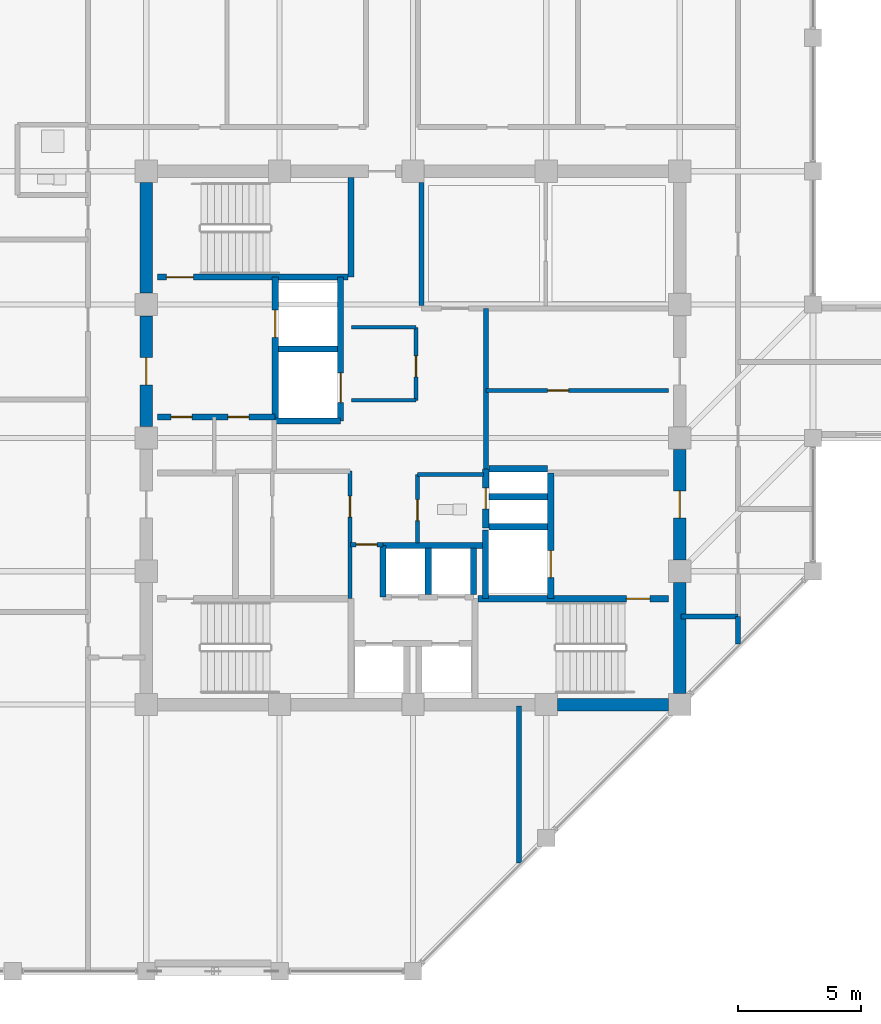
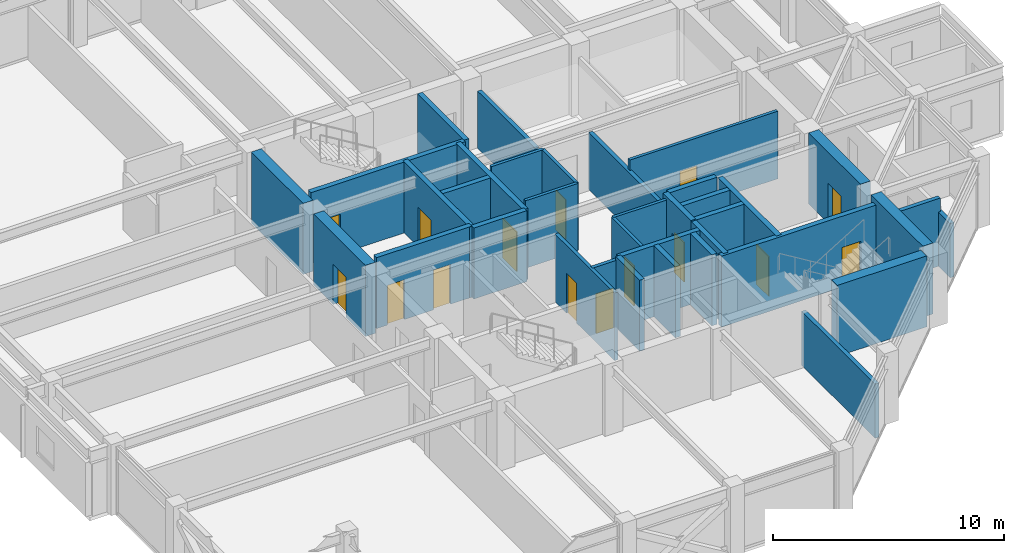
# One storey, part 25 of 30: 36 walls, 15 doors, 15 openings.
"""IFC4 building model written with IfcOpenShell, lengths in metres."""

from ifc_helpers import new_model, si_unit, direction, frame, frame_2d, origin, place, context, subcontext, project, spatial, rectangle, extrude, material, layer, layer_set, type_object, element, fill, save


model = new_model("IFC4")

# Units and contexts
model_context = context("Model", 3, precision=1e-05, world=origin(), true_north=direction((0.0, 1.0)))
body_context = subcontext(model_context, "Body", "Model", "MODEL_VIEW")
ifc_project = project(units=[si_unit("LENGTHUNIT", "METRE"), si_unit("AREAUNIT", "SQUARE_METRE"), si_unit("VOLUMEUNIT", "CUBIC_METRE"), si_unit("PLANEANGLEUNIT", "RADIAN"), si_unit("MASSUNIT", "GRAM", prefix="KILO")], contexts=[model_context])

# Site, building, storey
site_placement = place(None, origin())
site = spatial("IfcSite", under=ifc_project, at=site_placement, CompositionType="ELEMENT")
building_placement = place(site_placement, origin())
building = spatial("IfcBuilding", under=site, at=building_placement, Name="Surkhivell Harbour Commons", CompositionType="ELEMENT")
storey_placement = place(building_placement, frame((0.0, 0.0, 307.5)))
storey = spatial("IfcBuildingStorey", under=building, at=storey_placement, Name="L80", CompositionType="ELEMENT", Elevation=307.5)

# Wall
ifc_material_1 = material(Name="Concrete C50/60", Category="concrete")
ifc_layer_1 = layer(ifc_material_1, 0.5)
ifc_layer_set_1 = layer_set([ifc_layer_1], Name="Concrete C50/60")
wall_type_1 = type_object("IfcWallType", Name="WAL-CORE-500", PredefinedType="SHEAR", material=ifc_layer_set_1)
wall_1_placement = place(storey_placement, frame((10.800048828125, -10.340087890625, 0.0), z_axis=(0.0, 0.0, 1.0), x_axis=(0.0, 1.0, 0.0)))
element("IfcWall", 1, at=wall_1_placement, inside=storey, type_object=wall_type_1, Name="L80 Core Shear Wall East 1", PredefinedType="SHEAR", context=body_context, shape_type="SweptSolid", body=[
    extrude(rectangle(XDim=4.47998046875, YDim=0.5, at=frame_2d((2.239990234375, 0.0))), origin(), (0.0, 0.0, 1.0), 3.75),
])

# Wall, opening, door
wall_2_placement = place(storey_placement, frame((10.800048828125, -4.93994140625, 0.0), z_axis=(0.0, 0.0, 1.0), x_axis=(0.0, 1.0, 0.0)))
wall_2 = element("IfcWall", 2, at=wall_2_placement, inside=storey, type_object=wall_type_1, Name="L80 Core Shear Wall East 2", PredefinedType="SHEAR", context=body_context, shape_type="SweptSolid", body=[
    extrude(rectangle(XDim=4.47998046875, YDim=0.5, at=frame_2d((2.239990234375, 0.0))), origin(), (0.0, 0.0, 1.0), 3.75),
])
opening_1_placement = place(wall_2_placement, frame((1.68994140625, 0.0, 0.0)))
opening_1 = element("IfcOpeningElement", 3, at=opening_1_placement, cuts=wall_2, Name="Opening ID-1", PredefinedType="OPENING", context=body_context, shape_type="SweptSolid", body=[
    extrude(rectangle(XDim=1.10009765625, YDim=2.10009765625, at=frame_2d((0.550048828125, 1.050048828125))), frame((0.0, 0.260009765625, 0.0), z_axis=(0.0, -1.0, 0.0), x_axis=(1.0, 0.0, 0.0)), (0.0, 0.0, 1.0), 0.52001953125),
])
ifc_material_2 = material(Name="Hardwood-veneered fire-rated door leaf", Category="wood")
door_type_1 = type_object("IfcDoorType", Name="DOR-FD120-1100", OperationType="NOTDEFINED", PredefinedType="DOOR", material=ifc_material_2)
door_1_placement = place(opening_1_placement, origin())
door_1 = element("IfcDoor", 4, at=door_1_placement, inside=storey, type_object=door_type_1, Name="L80 Firefighting Lobby 2 Corridor Door", OperationType="SINGLE_SWING_RIGHT", OverallHeight=2.10009765625, OverallWidth=1.10009765625, PredefinedType="DOOR", context=body_context, shape_type="SweptSolid", body=[
    extrude(rectangle(XDim=1.10009765625, YDim=2.10009765625, at=frame_2d((0.550048828125, 1.050048828125))), frame((0.0, 0.02490234375, 0.0), z_axis=(0.0, -1.0, 0.0), x_axis=(1.0, 0.0, 0.0)), (0.0, 0.0, 1.0), 0.050048828125),
])
fill(opening_1, door_1)

wall_3_placement = place(storey_placement, frame((-10.800048828125, 0.4599609375, 0.0), z_axis=(0.0, 0.0, 1.0), x_axis=(0.0, 1.0, 0.0)))
wall_3 = element("IfcWall", 5, at=wall_3_placement, inside=storey, type_object=wall_type_1, Name="L80 Core Shear Wall West 3", PredefinedType="SHEAR", context=body_context, shape_type="SweptSolid", body=[
    extrude(rectangle(XDim=4.47998046875, YDim=0.5, at=frame_2d((2.239990234375, 0.0))), origin(), (0.0, 0.0, 1.0), 3.75),
])
opening_2_placement = place(wall_3_placement, frame((1.68994140625, 0.0, 0.0)))
opening_2 = element("IfcOpeningElement", 6, at=opening_2_placement, cuts=wall_3, Name="Opening ID-1", PredefinedType="OPENING", context=body_context, shape_type="SweptSolid", body=[
    extrude(rectangle(XDim=1.10009765625, YDim=2.10009765625, at=frame_2d((0.550048828125, 1.050048828125))), frame((0.0, 0.260009765625, 0.0), z_axis=(0.0, -1.0, 0.0), x_axis=(1.0, 0.0, 0.0)), (0.0, 0.0, 1.0), 0.52001953125),
])
door_2_placement = place(opening_2_placement, origin())
door_2 = element("IfcDoor", 7, at=door_2_placement, inside=storey, type_object=door_type_1, Name="L80 Firefighting Lobby 1 Corridor Door", OperationType="SINGLE_SWING_LEFT", OverallHeight=2.10009765625, OverallWidth=1.10009765625, PredefinedType="DOOR", context=body_context, shape_type="SweptSolid", body=[
    extrude(rectangle(XDim=1.10009765625, YDim=2.10009765625, at=frame_2d((0.550048828125, 1.050048828125))), frame((0.0, 0.02490234375, 0.0), z_axis=(0.0, -1.0, 0.0), x_axis=(1.0, 0.0, 0.0)), (0.0, 0.0, 1.0), 0.050048828125),
])
fill(opening_2, door_2)

# Walls
for number, where, z_axis, x_axis, name in (
    (8, (5.860107421875, -10.800048828125, 0.0), (0.0, 0.0, 1.0), (1.0, 0.0, 0.0), "L80 Core Shear Wall South 4"),
    (9, (-10.800048828125, 5.860107421875, 0.0), (0.0, 0.0, 1.0), (0.0, 1.0, 0.0), "L80 Core Shear Wall West 4"),
):
    element("IfcWall", number, at=place(storey_placement, frame(where, z_axis=z_axis, x_axis=x_axis)), inside=storey, type_object=wall_type_1, Name=name, PredefinedType="SHEAR", context=body_context, shape_type="SweptSolid", body=[
        extrude(rectangle(XDim=4.47998046875, YDim=0.5, at=frame_2d((2.239990234375, 0.0))), origin(), (0.0, 0.0, 1.0), 3.75),
    ])
ifc_material_3 = material(Name="Twin-stud acoustic fireboard partition", Category="other")
ifc_layer_2 = layer(ifc_material_3, 0.14990234375)
ifc_layer_set_2 = layer_set([ifc_layer_2], Name="Twin-stud acoustic fireboard partition")
wall_type_2 = type_object("IfcWallType", Name="WAL-INT-150", PredefinedType="PARTITIONING", material=ifc_layer_set_2)
wall_4_placement = place(storey_placement, frame((0.179931640625, -1.47998046875, 0.0), z_axis=(0.0, 0.0, 1.0), x_axis=(1.0, 0.0, 0.0)))
element("IfcWall", 10, at=wall_4_placement, inside=storey, type_object=wall_type_2, Name="L80 Core Accessible WC North Wall", PredefinedType="PARTITIONING", context=body_context, shape_type="SweptSolid", body=[
    extrude(rectangle(XDim=2.670166015625, YDim=0.14990234375, at=frame_2d((1.3349609375, 0.0))), origin(), (0.0, 0.0, 1.0), 3.570068359375),
])

# Wall, opening, door
wall_5_placement = place(storey_placement, frame((0.179931640625, -4.25, 0.0), z_axis=(0.0, 0.0, 1.0), x_axis=(0.0, 1.0, 0.0)))
wall_5 = element("IfcWall", 11, at=wall_5_placement, inside=storey, type_object=wall_type_2, Name="L80 Core Accessible WC West Wall", PredefinedType="PARTITIONING", context=body_context, shape_type="SweptSolid", body=[
    extrude(rectangle(XDim=2.77001953125, YDim=0.14990234375, at=frame_2d((1.385009765625, 0.0))), origin(), (0.0, 0.0, 1.0), 3.570068359375),
])
opening_3_placement = place(wall_5_placement, frame((0.89990234375, 0.0, 0.0)))
opening_3 = element("IfcOpeningElement", 12, at=opening_3_placement, cuts=wall_5, Name="Opening ID-6", PredefinedType="OPENING", context=body_context, shape_type="SweptSolid", body=[
    extrude(rectangle(XDim=0.85009765625, YDim=2.10009765625, at=frame_2d((0.425048828125, 1.050048828125))), frame((0.0, 0.0849609375, 0.0), z_axis=(0.0, -1.0, 0.0), x_axis=(1.0, 0.0, 0.0)), (0.0, 0.0, 1.0), 0.169921875),
])
door_type_2 = type_object("IfcDoorType", Name="DOR-FD30-850", OperationType="NOTDEFINED", PredefinedType="DOOR", material=ifc_material_2)
door_3_placement = place(opening_3_placement, origin())
door_3 = element("IfcDoor", 13, at=door_3_placement, inside=storey, type_object=door_type_2, Name="L80 Floor Accessible WC Door", OperationType="SINGLE_SWING_LEFT", OverallHeight=2.10009765625, OverallWidth=0.85009765625, PredefinedType="DOOR", context=body_context, shape_type="SweptSolid", body=[
    extrude(rectangle(XDim=0.85009765625, YDim=2.10009765625, at=frame_2d((0.425048828125, 1.050048828125))), frame((0.0, 0.02490234375, 0.0), z_axis=(0.0, -1.0, 0.0), x_axis=(1.0, 0.0, 0.0)), (0.0, 0.0, 1.0), 0.050048828125),
])
fill(opening_3, door_3)

wall_6_placement = place(storey_placement, frame((2.949951171875, 1.919921875, 0.0), z_axis=(0.0, 0.0, 1.0), x_axis=(1.0, 0.0, 0.0)))
wall_6 = element("IfcWall", 14, at=wall_6_placement, inside=storey, type_object=wall_type_2, Name="L80 Media Divider", PredefinedType="PARTITIONING", context=body_context, shape_type="SweptSolid", body=[
    extrude(rectangle(XDim=7.39013671875, YDim=0.14990234375, at=frame_2d((3.695068359375, 0.0))), origin(), (0.0, 0.0, 1.0), 3.570068359375),
])
opening_4_placement = place(wall_6_placement, frame((2.5, 0.0, 0.0)))
opening_4 = element("IfcOpeningElement", 15, at=opening_4_placement, cuts=wall_6, Name="Opening ID-6", PredefinedType="OPENING", context=body_context, shape_type="SweptSolid", body=[
    extrude(rectangle(XDim=0.85009765625, YDim=2.10009765625, at=frame_2d((0.425048828125, 1.050048828125))), frame((0.0, 0.0849609375, 0.0), z_axis=(0.0, -1.0, 0.0), x_axis=(1.0, 0.0, 0.0)), (0.0, 0.0, 1.0), 0.169921875),
])
door_4_placement = place(opening_4_placement, origin())
door_4 = element("IfcDoor", 16, at=door_4_placement, inside=storey, type_object=door_type_2, Name="L80 Seminar Alcove Door", OperationType="SINGLE_SWING_RIGHT", OverallHeight=2.10009765625, OverallWidth=0.85009765625, PredefinedType="DOOR", context=body_context, shape_type="SweptSolid", body=[
    extrude(rectangle(XDim=0.85009765625, YDim=2.10009765625, at=frame_2d((0.425048828125, 1.050048828125))), frame((0.0, 0.02490234375, 0.0), z_axis=(0.0, -1.0, 0.0), x_axis=(1.0, 0.0, 0.0)), (0.0, 0.0, 1.0), 0.050048828125),
])
fill(opening_4, door_4)

wall_7_placement = place(storey_placement, frame((0.1201171875, 1.52001953125, 0.0), z_axis=(0.0, 0.0, 1.0), x_axis=(0.0, 1.0, 0.0)))
wall_7 = element("IfcWall", 17, at=wall_7_placement, inside=storey, type_object=wall_type_2, Name="L80 Central Reading East Wall", PredefinedType="PARTITIONING", context=body_context, shape_type="SweptSolid", body=[
    extrude(rectangle(XDim=2.9599609375, YDim=0.14990234375, at=frame_2d((1.47998046875, 0.0))), origin(), (0.0, 0.0, 1.0), 3.570068359375),
])
opening_5_placement = place(wall_7_placement, frame((0.949951171875, 0.0, 0.0)))
opening_5 = element("IfcOpeningElement", 18, at=opening_5_placement, cuts=wall_7, Name="Opening ID-6", PredefinedType="OPENING", context=body_context, shape_type="SweptSolid", body=[
    extrude(rectangle(XDim=0.85009765625, YDim=2.10009765625, at=frame_2d((0.425048828125, 1.050048828125))), frame((0.0, 0.0849609375, 0.0), z_axis=(0.0, -1.0, 0.0), x_axis=(1.0, 0.0, 0.0)), (0.0, 0.0, 1.0), 0.169921875),
])
door_5_placement = place(opening_5_placement, origin())
door_5 = element("IfcDoor", 19, at=door_5_placement, inside=storey, type_object=door_type_2, Name="L80 Central Core Reading Door", OperationType="SINGLE_SWING_RIGHT", OverallHeight=2.10009765625, OverallWidth=0.85009765625, PredefinedType="DOOR", context=body_context, shape_type="SweptSolid", body=[
    extrude(rectangle(XDim=0.85009765625, YDim=2.10009765625, at=frame_2d((0.425048828125, 1.050048828125))), frame((0.0, 0.02490234375, 0.0), z_axis=(0.0, -1.0, 0.0), x_axis=(1.0, 0.0, 0.0)), (0.0, 0.0, 1.0), 0.050048828125),
])
fill(opening_5, door_5)

# Walls
for number, where, z_axis, x_axis, name in (
    (20, (-2.47998046875, 4.47998046875, 0.0), (0.0, 0.0, 1.0), (1.0, 0.0, 0.0), "L80 Central Reading North Wall"),
    (21, (-2.47998046875, 1.52001953125, 0.0), (0.0, 0.0, 1.0), (1.0, 0.0, 0.0), "L80 Central Reading South Wall"),
):
    element("IfcWall", number, at=place(storey_placement, frame(where, z_axis=z_axis, x_axis=x_axis)), inside=storey, type_object=wall_type_2, Name=name, PredefinedType="PARTITIONING", context=body_context, shape_type="SweptSolid", body=[
        extrude(rectangle(XDim=2.60009765625, YDim=0.14990234375, at=frame_2d((1.300048828125, 0.0))), origin(), (0.0, 0.0, 1.0), 3.570068359375),
    ])

# Wall, opening, door
ifc_material_4 = material(Name="High-density acoustic blockwork fire partition", Category="masonry")
ifc_layer_3 = layer(ifc_material_4, 0.175048828125)
ifc_layer_set_3 = layer_set([ifc_layer_3], Name="High-density acoustic blockwork fire partition")
wall_type_3 = type_object("IfcWallType", Name="WAL-INT-175", PredefinedType="PARTITIONING", material=ifc_layer_set_3)
wall_8_placement = place(storey_placement, frame((-2.550048828125, -6.510009765625, 0.0), z_axis=(0.0, 0.0, 1.0), x_axis=(0.0, 1.0, 0.0)))
wall_8 = element("IfcWall", 22, at=wall_8_placement, inside=storey, type_object=wall_type_3, Name="L80 Core Service Bay East Wall", PredefinedType="PARTITIONING", context=body_context, shape_type="SweptSolid", body=[
    extrude(rectangle(XDim=5.159912109375, YDim=0.175048828125, at=frame_2d((2.580078125, 0.0))), origin(), (0.0, 0.0, 1.0), 3.570068359375),
])
opening_6_placement = place(wall_8_placement, frame((3.300048828125, 0.0, 0.0)))
opening_6 = element("IfcOpeningElement", 23, at=opening_6_placement, cuts=wall_8, Name="Opening ID-6", PredefinedType="OPENING", context=body_context, shape_type="SweptSolid", body=[
    extrude(rectangle(XDim=0.85009765625, YDim=2.10009765625, at=frame_2d((0.425048828125, 1.050048828125))), frame((0.0, 0.097412109375, 0.0), z_axis=(0.0, -1.0, 0.0), x_axis=(1.0, 0.0, 0.0)), (0.0, 0.0, 1.0), 0.195068359375),
])
door_6_placement = place(opening_6_placement, origin())
door_6 = element("IfcDoor", 24, at=door_6_placement, inside=storey, type_object=door_type_2, Name="L80 Core Music Door", OperationType="SINGLE_SWING_LEFT", OverallHeight=2.10009765625, OverallWidth=0.85009765625, PredefinedType="DOOR", context=body_context, shape_type="SweptSolid", body=[
    extrude(rectangle(XDim=0.85009765625, YDim=2.10009765625, at=frame_2d((0.425048828125, 1.050048828125))), frame((0.0, 0.02490234375, 0.0), z_axis=(0.0, -1.0, 0.0), x_axis=(1.0, 0.0, 0.0)), (0.0, 0.0, 1.0), 0.050048828125),
])
fill(opening_6, door_6)

wall_9_placement = place(storey_placement, frame((-2.52001953125, -4.320068359375, 0.0), z_axis=(0.0, 0.0, 1.0), x_axis=(1.0, 0.0, 0.0)))
wall_9 = element("IfcWall", 25, at=wall_9_placement, inside=storey, type_object=wall_type_3, Name="L80 High-Rise Lobby North Portal Wall", PredefinedType="PARTITIONING", context=body_context, shape_type="SweptSolid", body=[
    extrude(rectangle(XDim=1.300048828125, YDim=0.175048828125, at=frame_2d((0.64990234375, 0.0))), origin(), (0.0, 0.0, 1.0), 3.570068359375),
])
opening_7_placement = place(wall_9_placement, frame((0.219970703125, 0.0, 0.0)))
opening_7 = element("IfcOpeningElement", 26, at=opening_7_placement, cuts=wall_9, Name="Opening ID-6", PredefinedType="OPENING", context=body_context, shape_type="SweptSolid", body=[
    extrude(rectangle(XDim=0.85009765625, YDim=2.10009765625, at=frame_2d((0.425048828125, 1.050048828125))), frame((0.0, 0.097412109375, 0.0), z_axis=(0.0, -1.0, 0.0), x_axis=(1.0, 0.0, 0.0)), (0.0, 0.0, 1.0), 0.195068359375),
])
door_7_placement = place(opening_7_placement, origin())
door_7 = element("IfcDoor", 27, at=door_7_placement, inside=storey, type_object=door_type_2, Name="L80 High-Rise Lift Lobby North Door", OperationType="SINGLE_SWING_LEFT", OverallHeight=2.10009765625, OverallWidth=0.85009765625, PredefinedType="DOOR", context=body_context, shape_type="SweptSolid", body=[
    extrude(rectangle(XDim=0.85009765625, YDim=2.10009765625, at=frame_2d((0.425048828125, 1.050048828125))), frame((0.0, 0.02490234375, 0.0), z_axis=(0.0, -1.0, 0.0), x_axis=(1.0, 0.0, 0.0)), (0.0, 0.0, 1.0), 0.050048828125),
])
fill(opening_7, door_7)

# Walls
ifc_material_5 = material(Name="Autoclaved aerated concrete blockwork and fire plaster", Category="masonry")
ifc_layer_4 = layer(ifc_material_5, 0.199951171875)
ifc_layer_set_4 = layer_set([ifc_layer_4], Name="Autoclaved aerated concrete blockwork and fire plaster")
wall_type_4 = type_object("IfcWallType", Name="WAL-INT-200", PredefinedType="PARTITIONING", material=ifc_layer_set_4)
wall_10_placement = place(storey_placement, frame((0.35009765625, 5.360107421875, 0.0), z_axis=(0.0, 0.0, 1.0), x_axis=(0.0, 1.0, 0.0)))
element("IfcWall", 28, at=wall_10_placement, inside=storey, type_object=wall_type_4, Name="L80 Reclaimed Core North Bay West Wall", PredefinedType="PARTITIONING", context=body_context, shape_type="SweptSolid", body=[
    extrude(rectangle(XDim=4.97998046875, YDim=0.199951171875, at=frame_2d((2.489990234375, 0.0))), origin(), (0.0, 0.0, 1.0), 3.012939453125),
])
wall_11_placement = place(storey_placement, frame((13.159912109375, -8.355224609375, 0.0), z_axis=(0.0, 0.0, 1.0), x_axis=(0.0, 1.0, 0.0)))
element("IfcWall", 29, at=wall_11_placement, inside=storey, type_object=wall_type_4, Name="L80 East Wing South Closure Wall", PredefinedType="PARTITIONING", context=body_context, shape_type="SweptSolid", body=[
    extrude(rectangle(XDim=1.115234375, YDim=0.199951171875, at=frame_2d((0.5576171875, 0.0))), origin(), (0.0, 0.0, 1.0), 2.85693359375),
])
wall_12_placement = place(storey_placement, frame((10.85009765625, -7.239990234375, 0.0), z_axis=(0.0, 0.0, 1.0), x_axis=(1.0, 0.0, 0.0)))
element("IfcWall", 30, at=wall_12_placement, inside=storey, type_object=wall_type_4, Name="L80 East Corridor South Closure Wall", PredefinedType="PARTITIONING", context=body_context, shape_type="SweptSolid", body=[
    extrude(rectangle(XDim=2.309814453125, YDim=0.199951171875, at=frame_2d((1.15478515625, 0.0))), origin(), (0.0, 0.0, 1.0), 3.570068359375),
])
wall_13_placement = place(storey_placement, frame((4.300048828125, -17.215087890625, 0.0), z_axis=(0.0, 0.0, 1.0), x_axis=(0.0, 1.0, 0.0)))
element("IfcWall", 31, at=wall_13_placement, inside=storey, type_object=wall_type_4, Name="L80 South Hall East Wall", PredefinedType="PARTITIONING", context=body_context, shape_type="SweptSolid", body=[
    extrude(rectangle(XDim=6.364990234375, YDim=0.199951171875, at=frame_2d((3.1826171875, 0.0))), origin(), (0.0, 0.0, 1.0), 2.85693359375),
])
wall_14_placement = place(storey_placement, frame((2.949951171875, -1.25, 0.0), z_axis=(0.0, 0.0, 1.0), x_axis=(0.0, 1.0, 0.0)))
element("IfcWall", 32, at=wall_14_placement, inside=storey, type_object=wall_type_4, Name="L80 Reclaimed East Core West Wall", PredefinedType="PARTITIONING", context=body_context, shape_type="SweptSolid", body=[
    extrude(rectangle(XDim=6.489990234375, YDim=0.199951171875, at=frame_2d((3.2451171875, 0.0))), origin(), (0.0, 0.0, 1.0), 3.012939453125),
])

# Wall, opening, door
ifc_layer_5 = layer(ifc_material_1, 0.25)
ifc_layer_set_5 = layer_set([ifc_layer_5], Name="Concrete C50/60")
wall_type_5 = type_object("IfcWallType", Name="WAL-SHAFT-250", PredefinedType="SHEAR", material=ifc_layer_set_5)
wall_15_placement = place(storey_placement, frame((-5.580078125, 0.719970703125, 0.0), z_axis=(0.0, 0.0, 1.0), x_axis=(0.0, 1.0, 0.0)))
wall_15 = element("IfcWall", 33, at=wall_15_placement, inside=storey, type_object=wall_type_5, Name="L80 Firefighting Lobby 1 East Shaft Wall", PredefinedType="SHEAR", context=body_context, shape_type="SweptSolid", body=[
    extrude(rectangle(XDim=5.7900390625, YDim=0.25, at=frame_2d((2.89501953125, 0.0))), origin(), (0.0, 0.0, 1.0), 3.75),
])
opening_8_placement = place(wall_15_placement, frame((3.35009765625, 0.0, 0.0)))
opening_8 = element("IfcOpeningElement", 34, at=opening_8_placement, cuts=wall_15, Name="Opening LD-1", PredefinedType="OPENING", context=body_context, shape_type="SweptSolid", body=[
    extrude(rectangle(XDim=1.10009765625, YDim=2.10009765625, at=frame_2d((0.550048828125, 1.050048828125))), frame((0.0, 0.135009765625, 0.0), z_axis=(0.0, -1.0, 0.0), x_axis=(1.0, 0.0, 0.0)), (0.0, 0.0, 1.0), 0.27001953125),
])
ifc_material_6 = material(Name="Brushed stainless steel S355", Category="steel")
door_type_3 = type_object("IfcDoorType", Name="DOR-LD-1100", OperationType="SLIDING_TO_LEFT", PredefinedType="DOOR", material=ifc_material_6)
door_8_placement = place(opening_8_placement, origin())
door_8 = element("IfcDoor", 35, at=door_8_placement, inside=storey, type_object=door_type_3, Name="L80 Lift Landing Door LD-FFL1", OperationType="SLIDING_TO_LEFT", OverallHeight=2.10009765625, OverallWidth=1.10009765625, PredefinedType="DOOR", context=body_context, shape_type="SweptSolid", body=[
    extrude(rectangle(XDim=1.10009765625, YDim=2.10009765625, at=frame_2d((0.550048828125, 1.050048828125))), frame((0.0, 0.02490234375, 0.0), z_axis=(0.0, -1.0, 0.0), x_axis=(1.0, 0.0, 0.0)), (0.0, 0.0, 1.0), 0.050048828125),
])
fill(opening_8, door_8)

# Wall, openings, doors
wall_16_placement = place(storey_placement, frame((-10.340087890625, 0.85009765625, 0.0), z_axis=(0.0, 0.0, 1.0), x_axis=(1.0, 0.0, 0.0)))
wall_16 = element("IfcWall", 36, at=wall_16_placement, inside=storey, type_object=wall_type_5, Name="L80 Firefighting Lobby 1 South Wall", PredefinedType="SHEAR", context=body_context, shape_type="SweptSolid", body=[
    extrude(rectangle(XDim=4.760009765625, YDim=0.25, at=frame_2d((2.3798828125, 0.0))), origin(), (0.0, 0.0, 1.0), 3.75),
])
opening_9_placement = place(wall_16_placement, frame((0.550048828125, 0.0, 0.0)))
opening_9 = element("IfcOpeningElement", 37, at=opening_9_placement, cuts=wall_16, Name="Opening ID-6", PredefinedType="OPENING", context=body_context, shape_type="SweptSolid", body=[
    extrude(rectangle(XDim=0.85009765625, YDim=2.10009765625, at=frame_2d((0.425048828125, 1.050048828125))), frame((0.0, 0.135009765625, 0.0), z_axis=(0.0, -1.0, 0.0), x_axis=(1.0, 0.0, 0.0)), (0.0, 0.0, 1.0), 0.27001953125),
])
opening_10_placement = place(wall_16_placement, frame((2.85009765625, 0.0, 0.0)))
opening_10 = element("IfcOpeningElement", 38, at=opening_10_placement, cuts=wall_16, Name="Opening ID-6", PredefinedType="OPENING", context=body_context, shape_type="SweptSolid", body=[
    extrude(rectangle(XDim=0.85009765625, YDim=2.10009765625, at=frame_2d((0.425048828125, 1.050048828125))), frame((0.0, 0.135009765625, 0.0), z_axis=(0.0, -1.0, 0.0), x_axis=(1.0, 0.0, 0.0)), (0.0, 0.0, 1.0), 0.27001953125),
])
door_9_placement = place(opening_9_placement, origin())
door_9 = element("IfcDoor", 39, at=door_9_placement, inside=storey, type_object=door_type_2, Name="L80 West Seminar 1 Door", OperationType="SINGLE_SWING_LEFT", OverallHeight=2.10009765625, OverallWidth=0.85009765625, PredefinedType="DOOR", context=body_context, shape_type="SweptSolid", body=[
    extrude(rectangle(XDim=0.85009765625, YDim=2.10009765625, at=frame_2d((0.425048828125, 1.050048828125))), frame((0.0, 0.02490234375, 0.0), z_axis=(0.0, -1.0, 0.0), x_axis=(1.0, 0.0, 0.0)), (0.0, 0.0, 1.0), 0.050048828125),
])
fill(opening_9, door_9)
door_10_placement = place(opening_10_placement, origin())
door_10 = element("IfcDoor", 40, at=door_10_placement, inside=storey, type_object=door_type_2, Name="L80 West Seminar 2 Door", OperationType="SINGLE_SWING_RIGHT", OverallHeight=2.10009765625, OverallWidth=0.85009765625, PredefinedType="DOOR", context=body_context, shape_type="SweptSolid", body=[
    extrude(rectangle(XDim=0.85009765625, YDim=2.10009765625, at=frame_2d((0.425048828125, 1.050048828125))), frame((0.0, 0.02490234375, 0.0), z_axis=(0.0, -1.0, 0.0), x_axis=(1.0, 0.0, 0.0)), (0.0, 0.0, 1.0), 0.050048828125),
])
fill(opening_10, door_10)

# Walls
wall_17_placement = place(storey_placement, frame((2.929931640625, -6.510009765625, 0.0), z_axis=(0.0, 0.0, 1.0), x_axis=(0.0, 1.0, 0.0)))
element("IfcWall", 41, at=wall_17_placement, inside=storey, type_object=wall_type_5, Name="L80 FFL2 West Shaft Wall", PredefinedType="SHEAR", context=body_context, shape_type="SweptSolid", body=[
    extrude(rectangle(XDim=2.7900390625, YDim=0.25, at=frame_2d((1.39501953125, 0.0))), origin(), (0.0, 0.0, 1.0), 3.75),
])
wall_18_placement = place(storey_placement, frame((3.080078125, -3.60009765625, 0.0), z_axis=(0.0, 0.0, 1.0), x_axis=(1.0, 0.0, 0.0)))
element("IfcWall", 42, at=wall_18_placement, inside=storey, type_object=wall_type_5, Name="L80 FFL2 North Shaft Wall", PredefinedType="SHEAR", context=body_context, shape_type="SweptSolid", body=[
    extrude(rectangle(XDim=2.369873046875, YDim=0.25, at=frame_2d((1.18505859375, 0.0))), origin(), (0.0, 0.0, 1.0), 3.75),
])

# Wall, opening, door
wall_19_placement = place(storey_placement, frame((5.580078125, -6.510009765625, 0.0), z_axis=(0.0, 0.0, 1.0), x_axis=(0.0, 1.0, 0.0)))
wall_19 = element("IfcWall", 43, at=wall_19_placement, inside=storey, type_object=wall_type_5, Name="L80 Firefighting Lobby 2 West Shaft Wall", PredefinedType="SHEAR", context=body_context, shape_type="SweptSolid", body=[
    extrude(rectangle(XDim=5.090087890625, YDim=0.25, at=frame_2d((2.544921875, 0.0))), origin(), (0.0, 0.0, 1.0), 3.75),
])
opening_11_placement = place(wall_19_placement, frame((0.85009765625, 0.0, 0.0)))
opening_11 = element("IfcOpeningElement", 44, at=opening_11_placement, cuts=wall_19, Name="Opening LD-1", PredefinedType="OPENING", context=body_context, shape_type="SweptSolid", body=[
    extrude(rectangle(XDim=1.10009765625, YDim=2.10009765625, at=frame_2d((0.550048828125, 1.050048828125))), frame((0.0, 0.135009765625, 0.0), z_axis=(0.0, -1.0, 0.0), x_axis=(1.0, 0.0, 0.0)), (0.0, 0.0, 1.0), 0.27001953125),
])
door_11_placement = place(opening_11_placement, origin())
door_11 = element("IfcDoor", 45, at=door_11_placement, inside=storey, type_object=door_type_3, Name="L80 Lift Landing Door LD-FFL2", OperationType="SLIDING_TO_RIGHT", OverallHeight=2.10009765625, OverallWidth=1.10009765625, PredefinedType="DOOR", context=body_context, shape_type="SweptSolid", body=[
    extrude(rectangle(XDim=1.10009765625, YDim=2.10009765625, at=frame_2d((0.550048828125, 1.050048828125))), frame((0.0, 0.02490234375, 0.0), z_axis=(0.0, -1.0, 0.0), x_axis=(1.0, 0.0, 0.0)), (0.0, 0.0, 1.0), 0.050048828125),
])
fill(opening_11, door_11)

# Walls
for number, where, z_axis, x_axis, name in (
    (46, (0.6201171875, -6.340087890625, 0.0), (0.0, 0.0, 1.0), (0.0, 1.0, 0.0), "L80 High-Rise Side Wall N"),
    (47, (2.449951171875, -6.340087890625, 0.0), (0.0, 0.0, 1.0), (0.0, 1.0, 0.0), "L80 High-Rise Side Wall N"),
):
    element("IfcWall", number, at=place(storey_placement, frame(where, z_axis=z_axis, x_axis=x_axis)), inside=storey, type_object=wall_type_5, Name=name, PredefinedType="SHEAR", context=body_context, shape_type="SweptSolid", body=[
        extrude(rectangle(XDim=1.880126953125, YDim=0.25, at=frame_2d((0.93994140625, 0.0))), origin(), (0.0, 0.0, 1.0), 3.75),
    ])
wall_20_placement = place(storey_placement, frame((-1.219970703125, -6.43994140625, 0.0), z_axis=(0.0, 0.0, 1.0), x_axis=(0.0, 1.0, 0.0)))
element("IfcWall", 48, at=wall_20_placement, inside=storey, type_object=wall_type_5, Name="L80 High-Rise Passage East Shaft Wall", PredefinedType="SHEAR", context=body_context, shape_type="SweptSolid", body=[
    extrude(rectangle(XDim=2.079833984375, YDim=0.25, at=frame_2d((1.0400390625, 0.0))), origin(), (0.0, 0.0, 1.0), 3.75),
])
wall_21_placement = place(storey_placement, frame((-1.219970703125, -4.360107421875, 0.0), z_axis=(0.0, 0.0, 1.0), x_axis=(1.0, 0.0, 0.0)))
element("IfcWall", 49, at=wall_21_placement, inside=storey, type_object=wall_type_5, Name="L80 High-Rise North Back Shaft Wall", PredefinedType="SHEAR", context=body_context, shape_type="SweptSolid", body=[
    extrude(rectangle(XDim=4.030029296875, YDim=0.25, at=frame_2d((2.01513671875, 0.0))), origin(), (0.0, 0.0, 1.0), 3.75),
])
for number, where, z_axis, x_axis, name in (
    (50, (3.080078125, -2.3798828125, 0.0), (0.0, 0.0, 1.0), (1.0, 0.0, 0.0), "L80 Riser Divider Wall"),
    (51, (3.080078125, -1.25, 0.0), (0.0, 0.0, 1.0), (1.0, 0.0, 0.0), "L80 Riser North Wall"),
):
    element("IfcWall", number, at=place(storey_placement, frame(where, z_axis=z_axis, x_axis=x_axis)), inside=storey, type_object=wall_type_5, Name=name, PredefinedType="SHEAR", context=body_context, shape_type="SweptSolid", body=[
        extrude(rectangle(XDim=2.369873046875, YDim=0.25, at=frame_2d((1.18505859375, 0.0))), origin(), (0.0, 0.0, 1.0), 3.75),
    ])

# Wall, opening, door
wall_22_placement = place(storey_placement, frame((2.949951171875, -3.64990234375, 0.0), z_axis=(0.0, 0.0, 1.0), x_axis=(0.0, 1.0, 0.0)))
wall_22 = element("IfcWall", 52, at=wall_22_placement, inside=storey, type_object=wall_type_5, Name="L80 Riser Shaft West Wall", PredefinedType="SHEAR", context=body_context, shape_type="SweptSolid", body=[
    extrude(rectangle(XDim=2.39990234375, YDim=0.25, at=frame_2d((1.199951171875, 0.0))), origin(), (0.0, 0.0, 1.0), 3.75),
])
opening_12_placement = place(wall_22_placement, frame((0.77490234375, 0.0, 0.0)))
opening_12 = element("IfcOpeningElement", 53, at=opening_12_placement, cuts=wall_22, Name="Opening ID-6", PredefinedType="OPENING", context=body_context, shape_type="SweptSolid", body=[
    extrude(rectangle(XDim=0.85009765625, YDim=2.10009765625, at=frame_2d((0.425048828125, 1.050048828125))), frame((0.0, 0.135009765625, 0.0), z_axis=(0.0, -1.0, 0.0), x_axis=(1.0, 0.0, 0.0)), (0.0, 0.0, 1.0), 0.27001953125),
])
door_12_placement = place(opening_12_placement, origin())
door_12 = element("IfcDoor", 54, at=door_12_placement, inside=storey, type_object=door_type_2, Name="L80 Electrical Riser Access Door", OperationType="SINGLE_SWING_LEFT", OverallHeight=2.10009765625, OverallWidth=0.85009765625, PredefinedType="DOOR", context=body_context, shape_type="SweptSolid", body=[
    extrude(rectangle(XDim=0.85009765625, YDim=2.10009765625, at=frame_2d((0.425048828125, 1.050048828125))), frame((0.0, 0.02490234375, 0.0), z_axis=(0.0, -1.0, 0.0), x_axis=(1.0, 0.0, 0.0)), (0.0, 0.0, 1.0), 0.050048828125),
])
fill(opening_12, door_12)

# Wall
wall_23_placement = place(storey_placement, frame((-2.510009765625, 6.510009765625, 0.0), z_axis=(0.0, 0.0, 1.0), x_axis=(0.0, 1.0, 0.0)))
element("IfcWall", 55, at=wall_23_placement, inside=storey, type_object=wall_type_5, Name="L80 Stair ST1 East Shear Wall", PredefinedType="SHEAR", context=body_context, shape_type="SweptSolid", body=[
    extrude(rectangle(XDim=4.0400390625, YDim=0.25, at=frame_2d((2.02001953125, 0.0))), origin(), (0.0, 0.0, 1.0), 3.75),
])

# Wall, opening, door
wall_24_placement = place(storey_placement, frame((-10.340087890625, 6.510009765625, 0.0), z_axis=(0.0, 0.0, 1.0), x_axis=(1.0, 0.0, 0.0)))
wall_24 = element("IfcWall", 56, at=wall_24_placement, inside=storey, type_object=wall_type_5, Name="L80 Stair ST1 South Shear Wall", PredefinedType="SHEAR", context=body_context, shape_type="SweptSolid", body=[
    extrude(rectangle(XDim=7.7001953125, YDim=0.25, at=frame_2d((3.85009765625, 0.0))), origin(), (0.0, 0.0, 1.0), 3.75),
])
opening_13_placement = place(wall_24_placement, frame((0.35009765625, 0.0, 0.0)))
opening_13 = element("IfcOpeningElement", 57, at=opening_13_placement, cuts=wall_24, Name="Opening ID-2", PredefinedType="OPENING", context=body_context, shape_type="SweptSolid", body=[
    extrude(rectangle(XDim=1.10009765625, YDim=2.10009765625, at=frame_2d((0.550048828125, 1.050048828125))), frame((0.0, 0.135009765625, 0.0), z_axis=(0.0, -1.0, 0.0), x_axis=(1.0, 0.0, 0.0)), (0.0, 0.0, 1.0), 0.27001953125),
])
door_type_4 = type_object("IfcDoorType", Name="DOR-FD60-1100", OperationType="NOTDEFINED", PredefinedType="DOOR", material=ifc_material_2)
door_13_placement = place(opening_13_placement, origin())
door_13 = element("IfcDoor", 58, at=door_13_placement, inside=storey, type_object=door_type_4, Name="L80 Stair ST1 Exit Door", OperationType="SINGLE_SWING_LEFT", OverallHeight=2.10009765625, OverallWidth=1.10009765625, PredefinedType="DOOR", context=body_context, shape_type="SweptSolid", body=[
    extrude(rectangle(XDim=1.10009765625, YDim=2.10009765625, at=frame_2d((0.550048828125, 1.050048828125))), frame((0.0, 0.02490234375, 0.0), z_axis=(0.0, -1.0, 0.0), x_axis=(1.0, 0.0, 0.0)), (0.0, 0.0, 1.0), 0.050048828125),
])
fill(opening_13, door_13)

wall_25_placement = place(storey_placement, frame((2.639892578125, -6.510009765625, 0.0), z_axis=(0.0, 0.0, 1.0), x_axis=(1.0, 0.0, 0.0)))
wall_25 = element("IfcWall", 59, at=wall_25_placement, inside=storey, type_object=wall_type_5, Name="L80 Stair ST2 North Shear Wall", PredefinedType="SHEAR", context=body_context, shape_type="SweptSolid", body=[
    extrude(rectangle(XDim=7.7001953125, YDim=0.25, at=frame_2d((3.85009765625, 0.0))), origin(), (0.0, 0.0, 1.0), 3.75),
])
opening_14_placement = place(wall_25_placement, frame((6.0, 0.0, 0.0)))
opening_14 = element("IfcOpeningElement", 60, at=opening_14_placement, cuts=wall_25, Name="Opening ID-4", PredefinedType="OPENING", context=body_context, shape_type="SweptSolid", body=[
    extrude(rectangle(XDim=0.949951171875, YDim=2.10009765625, at=frame_2d((0.47509765625, 1.050048828125))), frame((0.0, 0.135009765625, 0.0), z_axis=(0.0, -1.0, 0.0), x_axis=(1.0, 0.0, 0.0)), (0.0, 0.0, 1.0), 0.27001953125),
])
door_type_5 = type_object("IfcDoorType", Name="DOR-FD60-950", OperationType="NOTDEFINED", PredefinedType="DOOR", material=ifc_material_2)
door_14_placement = place(opening_14_placement, origin())
door_14 = element("IfcDoor", 61, at=door_14_placement, inside=storey, type_object=door_type_5, Name="L80 Stair ST2 Exit Door", OperationType="SINGLE_SWING_RIGHT", OverallHeight=2.10009765625, OverallWidth=0.949951171875, PredefinedType="DOOR", context=body_context, shape_type="SweptSolid", body=[
    extrude(rectangle(XDim=0.949951171875, YDim=2.10009765625, at=frame_2d((0.47509765625, 1.050048828125))), frame((0.0, 0.02490234375, 0.0), z_axis=(0.0, -1.0, 0.0), x_axis=(1.0, 0.0, 0.0)), (0.0, 0.0, 1.0), 0.050048828125),
])
fill(opening_14, door_14)

wall_26_placement = place(storey_placement, frame((-2.929931640625, 0.679931640625, 0.0), z_axis=(0.0, 0.0, 1.0), x_axis=(0.0, 1.0, 0.0)))
wall_26 = element("IfcWall", 62, at=wall_26_placement, inside=storey, type_object=wall_type_5, Name="L80 Service and Fire Lift East Shaft Wall", PredefinedType="SHEAR", context=body_context, shape_type="SweptSolid", body=[
    extrude(rectangle(XDim=5.830078125, YDim=0.25, at=frame_2d((2.9150390625, 0.0))), origin(), (0.0, 0.0, 1.0), 3.75),
])
opening_15_placement = place(wall_26_placement, frame((0.75, 0.0, 0.0)))
opening_15 = element("IfcOpeningElement", 63, at=opening_15_placement, cuts=wall_26, Name="Opening LD-2", PredefinedType="OPENING", context=body_context, shape_type="SweptSolid", body=[
    extrude(rectangle(XDim=1.199951171875, YDim=2.10009765625, at=frame_2d((0.60009765625, 1.050048828125))), frame((0.0, 0.135009765625, 0.0), z_axis=(0.0, -1.0, 0.0), x_axis=(1.0, 0.0, 0.0)), (0.0, 0.0, 1.0), 0.27001953125),
])
door_type_6 = type_object("IfcDoorType", Name="DOR-LD-1200", OperationType="SLIDING_TO_LEFT", PredefinedType="DOOR", material=ifc_material_6)
door_15_placement = place(opening_15_placement, origin())
door_15 = element("IfcDoor", 64, at=door_15_placement, inside=storey, type_object=door_type_6, Name="L80 Lift Landing Door LD-SVL1", OperationType="SLIDING_TO_LEFT", OverallHeight=2.10009765625, OverallWidth=1.199951171875, PredefinedType="DOOR", context=body_context, shape_type="SweptSolid", body=[
    extrude(rectangle(XDim=1.199951171875, YDim=2.10009765625, at=frame_2d((0.60009765625, 1.050048828125))), frame((0.0, 0.02490234375, 0.0), z_axis=(0.0, -1.0, 0.0), x_axis=(1.0, 0.0, 0.0)), (0.0, 0.0, 1.0), 0.050048828125),
])
fill(opening_15, door_15)

# Walls
wall_27_placement = place(storey_placement, frame((-5.449951171875, 3.60009765625, 0.0), z_axis=(0.0, 0.0, 1.0), x_axis=(1.0, 0.0, 0.0)))
element("IfcWall", 65, at=wall_27_placement, inside=storey, type_object=wall_type_5, Name="L80 FFL1/SVL1 Shaft Divider", PredefinedType="SHEAR", context=body_context, shape_type="SweptSolid", body=[
    extrude(rectangle(XDim=2.389892578125, YDim=0.25, at=frame_2d((1.19482421875, 0.0))), origin(), (0.0, 0.0, 1.0), 3.75),
])
wall_28_placement = place(storey_placement, frame((-5.580078125, 0.679931640625, 0.0), z_axis=(0.0, 0.0, 1.0), x_axis=(1.0, 0.0, 0.0)))
element("IfcWall", 66, at=wall_28_placement, inside=storey, type_object=wall_type_5, Name="L80 SVL1 South Shaft Wall", PredefinedType="SHEAR", context=body_context, shape_type="SweptSolid", body=[
    extrude(rectangle(XDim=2.650146484375, YDim=0.25, at=frame_2d((1.3251953125, 0.0))), origin(), (0.0, 0.0, 1.0), 3.75),
])

save(model, "model.ifc")
